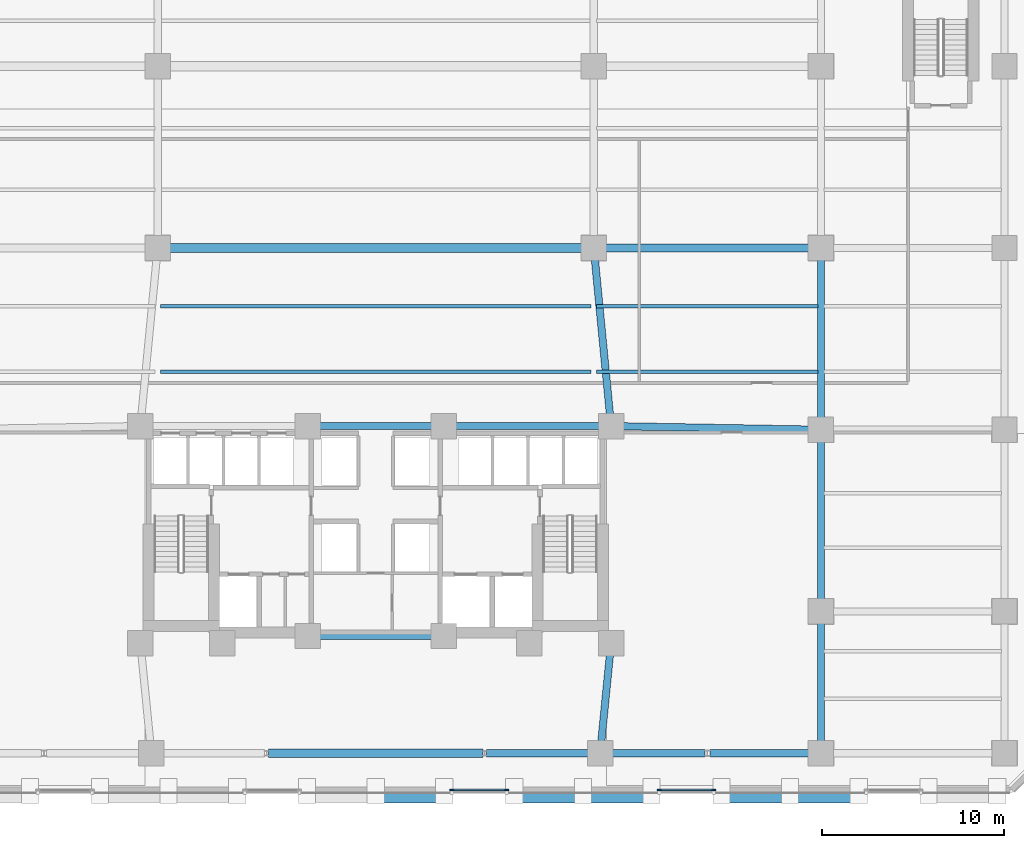
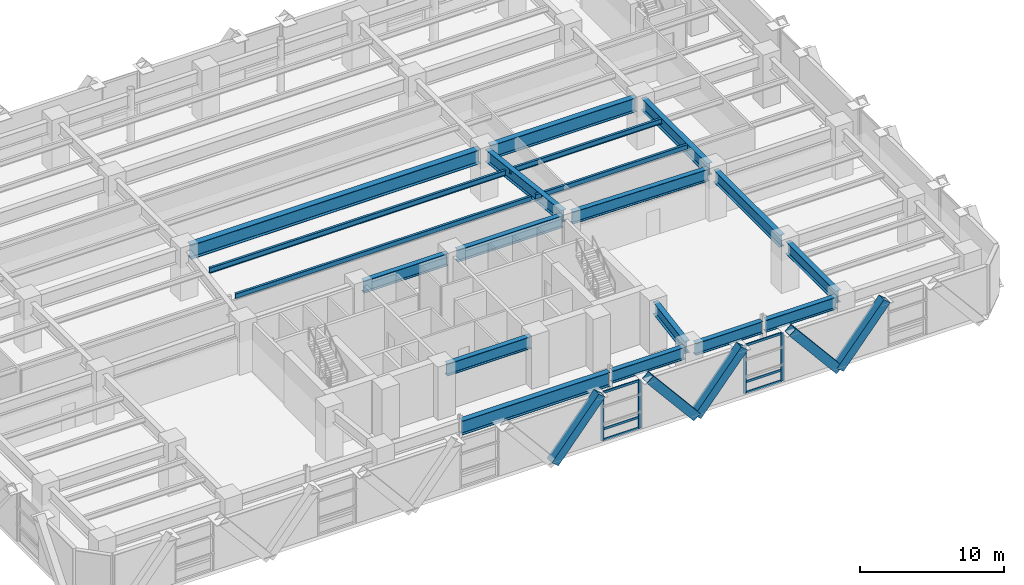
# One storey, part 7 of 26: 19 beams, 15 members, 2 elements without a shape of their own.
"""IFC4 building model written with IfcOpenShell, lengths in metres."""

from ifc_helpers import new_model, si_unit, direction, frame, origin, origin_2d, place, context, subcontext, project, spatial, rectangle, hollow_rectangle, i_section, extrude, material, material_profile, profile_set, type_object, element, aggregate, save


model = new_model("IFC4")

# Units and contexts
model_context = context("Model", 3, precision=1e-05, world=origin(), true_north=direction((0.0, 1.0)))
body_context = subcontext(model_context, "Body", "Model", "MODEL_VIEW")
ifc_project = project(units=[si_unit("LENGTHUNIT", "METRE"), si_unit("AREAUNIT", "SQUARE_METRE"), si_unit("VOLUMEUNIT", "CUBIC_METRE"), si_unit("PLANEANGLEUNIT", "RADIAN"), si_unit("MASSUNIT", "GRAM", prefix="KILO")], contexts=[model_context])

# Site, building, storey
site_placement = place(None, origin())
site = spatial("IfcSite", under=ifc_project, at=site_placement, CompositionType="ELEMENT")
building_placement = place(site_placement, origin())
building = spatial("IfcBuilding", under=site, at=building_placement, Name="Quenlor Broadcast Tower", CompositionType="ELEMENT")
storey_placement = place(building_placement, frame((0.0, 0.0, 18.5)))
storey = spatial("IfcBuildingStorey", under=building, at=storey_placement, Name="L04", CompositionType="ELEMENT", Elevation=18.5)

# Curtain wall, members
ifc_material_1 = material(Name="Architectural Terracotta and Low-E Glazing", Category="masonry")
curtain_wall_type = type_object("IfcCurtainWallType", Name="Station Concourse and Crown Terracotta Curtain Wall", PredefinedType="NOTDEFINED", material=ifc_material_1)
curtain_wall_1_placement = place(storey_placement, origin())
curtain_wall_1 = element("IfcCurtainWall", 1, at=curtain_wall_1_placement, inside=storey, type_object=curtain_wall_type, Name="L04 Curtain Wall CW6 (L04-S-FULL-G2)", PredefinedType="NOTDEFINED")
ifc_material_2 = material(Name="Aluminium 6063-T6", Category="aluminium")
ifc_material_profile_1 = material_profile(ifc_material_2, rectangle(XDim=0.08203125, YDim=0.239990234375, at=origin_2d()))
ifc_profile_set_1 = profile_set([ifc_material_profile_1], Name="Aluminium 6063-T6 MULL82x240")
member_type_1 = type_object("IfcMemberType", Name="CW6 Aluminium Mullion MULL_CW6", PredefinedType="MULLION", material=ifc_profile_set_1)
member_1_placement = place(storey_placement, frame((18.593994140625, -24.820068359375, 0.0), z_axis=(0.0, 0.0, 1.0), x_axis=(0.0, -1.0, 0.0)))
member_1 = element("IfcMember", 2, at=member_1_placement, type_object=member_type_1, Name="CW6 mullion 1", PredefinedType="MULLION", context=body_context, shape_type="SweptSolid", body=[
    extrude(rectangle(XDim=0.08203125, YDim=0.239990234375, at=origin_2d()), origin(), (0.0, 0.0, 1.0), 4.080078125),
])
member_2_placement = place(storey_placement, frame((15.606201171875, -24.820068359375, 0.0), z_axis=(0.0, 0.0, 1.0), x_axis=(0.0, -1.0, 0.0)))
member_2 = element("IfcMember", 3, at=member_2_placement, type_object=member_type_1, Name="CW6 mullion 2", PredefinedType="MULLION", context=body_context, shape_type="SweptSolid", body=[
    extrude(rectangle(XDim=0.08203125, YDim=0.239990234375, at=origin_2d()), origin(), (0.0, 0.0, 1.0), 4.080078125),
])

curtain_wall_2_placement = place(storey_placement, origin())
curtain_wall_2 = element("IfcCurtainWall", 4, at=curtain_wall_2_placement, inside=storey, type_object=curtain_wall_type, Name="L04 Curtain Wall CW6 (L04-S-FULL-G3)", PredefinedType="NOTDEFINED")
member_3_placement = place(storey_placement, frame((7.19384765625, -24.820068359375, 0.0), z_axis=(0.0, 0.0, 1.0), x_axis=(0.0, -1.0, 0.0)))
member_3 = element("IfcMember", 5, at=member_3_placement, type_object=member_type_1, Name="CW6 mullion 1", PredefinedType="MULLION", context=body_context, shape_type="SweptSolid", body=[
    extrude(rectangle(XDim=0.08203125, YDim=0.239990234375, at=origin_2d()), origin(), (0.0, 0.0, 1.0), 4.080078125),
])
member_4_placement = place(storey_placement, frame((4.2060546875, -24.820068359375, 0.0), z_axis=(0.0, 0.0, 1.0), x_axis=(0.0, -1.0, 0.0)))
member_4 = element("IfcMember", 6, at=member_4_placement, type_object=member_type_1, Name="CW6 mullion 2", PredefinedType="MULLION", context=body_context, shape_type="SweptSolid", body=[
    extrude(rectangle(XDim=0.08203125, YDim=0.239990234375, at=origin_2d()), origin(), (0.0, 0.0, 1.0), 4.080078125),
])

# Member
ifc_material_3 = material(Name="Aluminium 6063-T6", Category="aluminium")
ifc_material_profile_2 = material_profile(ifc_material_3, rectangle(XDim=0.08203125, YDim=0.195068359375, at=origin_2d()))
ifc_profile_set_2 = profile_set([ifc_material_profile_2], Name="Aluminium 6063-T6 TRAN82x195")
member_type_2 = type_object("IfcMemberType", Name="CW6 Aluminium Transom TRAN_CW6", PredefinedType="USERDEFINED", material=ifc_profile_set_2)
member_5_placement = place(storey_placement, frame((18.552978515625, -24.820068359375, 0.041015625), z_axis=(-1.0, 0.0, 0.0), x_axis=(0.0, -1.0, 0.0)))
member_5 = element("IfcMember", 7, at=member_5_placement, type_object=member_type_2, Name="CW6 transom 1.1", ObjectType="TRANSOM", PredefinedType="USERDEFINED", context=body_context, shape_type="SweptSolid", body=[
    extrude(rectangle(XDim=0.08203125, YDim=0.195068359375, at=origin_2d()), origin(), (0.0, 0.0, 1.0), 2.90576171875),
])

member_6_placement = place(storey_placement, frame((18.552978515625, -24.820068359375, 0.949951171875), z_axis=(-1.0, 0.0, 0.0), x_axis=(0.0, -1.0, 0.0)))
member_6 = element("IfcMember", 8, at=member_6_placement, type_object=member_type_2, Name="CW6 transom 1.2", ObjectType="TRANSOM", PredefinedType="USERDEFINED", context=body_context, shape_type="SweptSolid", body=[
    extrude(rectangle(XDim=0.08203125, YDim=0.195068359375, at=origin_2d()), origin(), (0.0, 0.0, 1.0), 2.90576171875),
])

member_7_placement = place(storey_placement, frame((18.552978515625, -24.820068359375, 4.0390625), z_axis=(-1.0, 0.0, 0.0), x_axis=(0.0, -1.0, 0.0)))
member_7 = element("IfcMember", 9, at=member_7_placement, type_object=member_type_2, Name="CW6 transom 1.3", ObjectType="TRANSOM", PredefinedType="USERDEFINED", context=body_context, shape_type="SweptSolid", body=[
    extrude(rectangle(XDim=0.08203125, YDim=0.195068359375, at=origin_2d()), origin(), (0.0, 0.0, 1.0), 2.90576171875),
])

aggregate(curtain_wall_1, [member_1, member_2, member_5, member_6, member_7])

member_8_placement = place(storey_placement, frame((7.15283203125, -24.820068359375, 0.041015625), z_axis=(-1.0, 0.0, 0.0), x_axis=(0.0, -1.0, 0.0)))
member_8 = element("IfcMember", 10, at=member_8_placement, type_object=member_type_2, Name="CW6 transom 1.1", ObjectType="TRANSOM", PredefinedType="USERDEFINED", context=body_context, shape_type="SweptSolid", body=[
    extrude(rectangle(XDim=0.08203125, YDim=0.195068359375, at=origin_2d()), origin(), (0.0, 0.0, 1.0), 2.90576171875),
])

member_9_placement = place(storey_placement, frame((7.15283203125, -24.820068359375, 0.949951171875), z_axis=(-1.0, 0.0, 0.0), x_axis=(0.0, -1.0, 0.0)))
member_9 = element("IfcMember", 11, at=member_9_placement, type_object=member_type_2, Name="CW6 transom 1.2", ObjectType="TRANSOM", PredefinedType="USERDEFINED", context=body_context, shape_type="SweptSolid", body=[
    extrude(rectangle(XDim=0.08203125, YDim=0.195068359375, at=origin_2d()), origin(), (0.0, 0.0, 1.0), 2.90576171875),
])

member_10_placement = place(storey_placement, frame((7.15283203125, -24.820068359375, 4.0390625), z_axis=(-1.0, 0.0, 0.0), x_axis=(0.0, -1.0, 0.0)))
member_10 = element("IfcMember", 12, at=member_10_placement, type_object=member_type_2, Name="CW6 transom 1.3", ObjectType="TRANSOM", PredefinedType="USERDEFINED", context=body_context, shape_type="SweptSolid", body=[
    extrude(rectangle(XDim=0.08203125, YDim=0.195068359375, at=origin_2d()), origin(), (0.0, 0.0, 1.0), 2.90576171875),
])

aggregate(curtain_wall_2, [member_3, member_4, member_8, member_9, member_10])

# Members
ifc_material_4 = material(Name="Steel S355", Category="steel")
ifc_material_profile_3 = material_profile(ifc_material_4, hollow_rectangle(XDim=0.679931640625, YDim=0.679931640625, WallThickness=0.034912109375, at=origin_2d()))
ifc_profile_set_3 = profile_set([ifc_material_profile_3], Name="Steel S355 RHS680x680x35")
member_type_3 = type_object("IfcMemberType", Name="Perimeter Diagonal Lattice Brace Z1 Steel S355 RHS680x35", PredefinedType="BRACE", material=ifc_profile_set_3)
for number, where, z_axis, x_axis, name in (
    (13, (22.82275390625, -25.215087890625, -0.1201171875), (0.640626831312, 0.0, 0.767852370578), (0.0, 1.0, 0.0), "L04 Podium Diamond Lattice S-P1B"),
    (14, (22.777099609375, -25.215087890625, -0.1201171875), (-0.640626831312, 0.0, 0.767852370578), (0.0, -1.0, 0.0), "L04 Podium Diamond Lattice S-P2S"),
    (15, (11.4228515625, -25.215087890625, -0.1201171875), (0.640626831312, 0.0, 0.767852370578), (0.0, 1.0, 0.0), "L04 Podium Diamond Lattice S-P2B"),
    (16, (11.377197265625, -25.215087890625, -0.1201171875), (-0.640626831312, 0.0, 0.767852370578), (0.0, -1.0, 0.0), "L04 Podium Diamond Lattice S-P3S"),
    (17, (0.022705078125, -25.215087890625, -0.1201171875), (0.640626831312, 0.0, 0.767852370578), (0.0, 1.0, 0.0), "L04 Podium Diamond Lattice S-P3B"),
):
    element("IfcMember", number, at=place(storey_placement, frame(where, z_axis=z_axis, x_axis=x_axis)), inside=storey, type_object=member_type_3, Name=name, PredefinedType="BRACE", context=body_context, shape_type="SweptSolid", body=[
        extrude(hollow_rectangle(XDim=0.679931640625, YDim=0.679931640625, WallThickness=0.034912109375, at=origin_2d()), origin(), (0.0, 0.0, 1.0), 5.860595703125),
    ])

# Beams
ifc_material_5 = material(Name="Steel S355", Category="steel")
ifc_material_profile_4 = material_profile(ifc_material_5, i_section(OverallWidth=0.39990234375, OverallDepth=1.02392578125, WebThickness=0.01611328125, FlangeThickness=0.031982421875, FilletRadius=0.01611328125, at=origin_2d()))
ifc_profile_set_4 = profile_set([ifc_material_profile_4], Name="Steel S355 1000WB322")
beam_type_1 = type_object("IfcBeamType", Name="Podium Concourse Girder Steel S355 1000WB322", PredefinedType="BEAM", material=ifc_profile_set_4)
beam_1_placement = place(storey_placement, frame((6.10791015625, -22.800048828125, 3.568115234375), z_axis=(1.0, 0.0, 0.0), x_axis=(0.0, 1.0, 0.0)))
element("IfcBeam", 18, at=beam_1_placement, inside=storey, type_object=beam_type_1, Name="L04 Podium Girder 6", PredefinedType="BEAM", context=body_context, shape_type="SweptSolid", body=[
    extrude(i_section(OverallWidth=0.39990234375, OverallDepth=1.02392578125, WebThickness=0.01611328125, FlangeThickness=0.031982421875, FilletRadius=0.01611328125, at=origin_2d()), origin(), (0.0, 0.0, 1.0), 5.822021484375),
])
beam_2_placement = place(storey_placement, frame((12.77001953125, -22.800048828125, 3.568115234375), z_axis=(1.0, 0.0, 0.0), x_axis=(0.0, 1.0, 0.0)))
element("IfcBeam", 19, at=beam_2_placement, inside=storey, type_object=beam_type_1, Name="L04 Podium Girder 7", PredefinedType="BEAM", context=body_context, shape_type="SweptSolid", body=[
    extrude(i_section(OverallWidth=0.39990234375, OverallDepth=1.02392578125, WebThickness=0.01611328125, FlangeThickness=0.031982421875, FilletRadius=0.01611328125, at=origin_2d()), origin(), (0.0, 0.0, 1.0), 5.345458984375),
])
beam_3_placement = place(storey_placement, frame((18.384521484375, -22.800048828125, 3.568115234375), z_axis=(1.0, 0.0, 0.0), x_axis=(0.0, 1.0, 0.0)))
element("IfcBeam", 20, at=beam_3_placement, inside=storey, type_object=beam_type_1, Name="L04 Podium Girder 8", PredefinedType="BEAM", context=body_context, shape_type="SweptSolid", body=[
    extrude(i_section(OverallWidth=0.39990234375, OverallDepth=1.02392578125, WebThickness=0.01611328125, FlangeThickness=0.031982421875, FilletRadius=0.01611328125, at=origin_2d()), origin(), (0.0, 0.0, 1.0), 5.695556640625),
])
beam_4_placement = place(storey_placement, frame((24.5, -22.3798828125, 3.568115234375), z_axis=(0.0, 1.0, 0.0), x_axis=(-1.0, 0.0, 0.0)))
element("IfcBeam", 21, at=beam_4_placement, inside=storey, type_object=beam_type_1, Name="L04 Podium Girder 44", PredefinedType="BEAM", context=body_context, shape_type="SweptSolid", body=[
    extrude(i_section(OverallWidth=0.39990234375, OverallDepth=1.02392578125, WebThickness=0.01611328125, FlangeThickness=0.031982421875, FilletRadius=0.01611328125, at=origin_2d()), origin(), (0.0, 0.0, 1.0), 6.9599609375),
])
for number, where, z_axis, x_axis, name in (
    (22, (24.5, -14.580078125, 3.568115234375), (0.0, 1.0, 0.0), (-1.0, 0.0, 0.0), "L04 Podium Girder 45"),
    (23, (24.5, -4.580078125, 3.568115234375), (0.0, 1.0, 0.0), (-1.0, 0.0, 0.0), "L04 Podium Girder 46"),
):
    element("IfcBeam", number, at=place(storey_placement, frame(where, z_axis=z_axis, x_axis=x_axis)), inside=storey, type_object=beam_type_1, Name=name, PredefinedType="BEAM", context=body_context, shape_type="SweptSolid", body=[
        extrude(i_section(OverallWidth=0.39990234375, OverallDepth=1.02392578125, WebThickness=0.01611328125, FlangeThickness=0.031982421875, FilletRadius=0.01611328125, at=origin_2d()), origin(), (0.0, 0.0, 1.0), 9.16015625),
    ])
beam_5_placement = place(storey_placement, frame((12.913330078125, -4.421875, 3.568115234375), z_axis=(-0.096489068192, 0.995334044288, 0.0), x_axis=(-0.995334044288, -0.096489068192, 0.0)))
element("IfcBeam", 24, at=beam_5_placement, inside=storey, type_object=beam_type_1, Name="L04 Podium Concourse Girder 2", PredefinedType="BEAM", context=body_context, shape_type="SweptSolid", body=[
    extrude(i_section(OverallWidth=0.39990234375, OverallDepth=1.02392578125, WebThickness=0.01611328125, FlangeThickness=0.031982421875, FilletRadius=0.01611328125, at=origin_2d()), origin(), (0.0, 0.0, 1.0), 9.086181640625),
])
beam_6_placement = place(storey_placement, frame((12.91259765625, -17.128173828125, 3.568115234375), z_axis=(-0.098717586069, -0.995115489881, 0.0), x_axis=(0.995115489881, -0.098717586069, 0.0)))
element("IfcBeam", 25, at=beam_6_placement, inside=storey, type_object=beam_type_1, Name="L04 Podium Concourse Girder 4", PredefinedType="BEAM", context=body_context, shape_type="SweptSolid", body=[
    extrude(i_section(OverallWidth=0.39990234375, OverallDepth=1.02392578125, WebThickness=0.01611328125, FlangeThickness=0.031982421875, FilletRadius=0.01611328125, at=origin_2d()), origin(), (0.0, 0.0, 1.0), 5.319580078125),
])
beam_7_placement = place(storey_placement, frame((13.329833984375, -4.806640625, 3.568115234375), z_axis=(0.999850235211, -0.017306274859, 0.0), x_axis=(0.017306274859, 0.999850235211, 0.0)))
element("IfcBeam", 26, at=beam_7_placement, inside=storey, type_object=beam_type_1, Name="L04 Podium Concourse Girder 6", PredefinedType="BEAM", context=body_context, shape_type="SweptSolid", body=[
    extrude(i_section(OverallWidth=0.39990234375, OverallDepth=1.02392578125, WebThickness=0.01611328125, FlangeThickness=0.031982421875, FilletRadius=0.01611328125, at=origin_2d()), origin(), (0.0, 0.0, 1.0), 10.7919921875),
])
for number, where, z_axis, x_axis, name in (
    (27, (-3.3701171875, -4.800048828125, 3.568115234375), (1.0, 0.0, 0.0), (0.0, 1.0, 0.0), "L04 Podium Concourse Girder 7"),
    (28, (-3.3701171875, -16.35009765625, 3.568115234375), (1.0, 0.0, 0.0), (0.0, 1.0, 0.0), "L04 Podium Concourse Girder 8"),
):
    element("IfcBeam", number, at=place(storey_placement, frame(where, z_axis=z_axis, x_axis=x_axis)), inside=storey, type_object=beam_type_1, Name=name, PredefinedType="BEAM", context=body_context, shape_type="SweptSolid", body=[
        extrude(i_section(OverallWidth=0.39990234375, OverallDepth=1.02392578125, WebThickness=0.01611328125, FlangeThickness=0.031982421875, FilletRadius=0.01611328125, at=origin_2d()), origin(), (0.0, 0.0, 1.0), 6.740234375),
    ])
beam_8_placement = place(storey_placement, frame((4.1298828125, -4.800048828125, 3.568115234375), z_axis=(1.0, 0.0, 0.0), x_axis=(0.0, 1.0, 0.0)))
element("IfcBeam", 29, at=beam_8_placement, inside=storey, type_object=beam_type_1, Name="L04 Podium Concourse Girder 10", PredefinedType="BEAM", context=body_context, shape_type="SweptSolid", body=[
    extrude(i_section(OverallWidth=0.39990234375, OverallDepth=1.02392578125, WebThickness=0.01611328125, FlangeThickness=0.031982421875, FilletRadius=0.01611328125, at=origin_2d()), origin(), (0.0, 0.0, 1.0), 8.440185546875),
])
ifc_material_6 = material(Name="Steel S355", Category="steel")
ifc_material_profile_5 = material_profile(ifc_material_6, i_section(OverallWidth=0.18994140625, OverallDepth=0.453857421875, WebThickness=0.008544921875, FlangeThickness=0.0126953125, FilletRadius=0.011474609375, at=origin_2d()))
ifc_profile_set_5 = profile_set([ifc_material_profile_5], Name="Steel S355 460UB67.1")
beam_type_2 = type_object("IfcBeamType", Name="Podium Floor Joist Steel S355 460UB67.1", PredefinedType="JOIST", material=ifc_profile_set_5)
beam_9_placement = place(storey_placement, frame((-11.840087890625, -1.800048828125, 3.85302734375), z_axis=(1.0, 0.0, 0.0), x_axis=(0.0, 1.0, 0.0)))
element("IfcBeam", 30, at=beam_9_placement, inside=storey, type_object=beam_type_2, Name="L04 Podium Floor Joist 34", PredefinedType="JOIST", context=body_context, shape_type="SweptSolid", body=[
    extrude(i_section(OverallWidth=0.18994140625, OverallDepth=0.453857421875, WebThickness=0.008544921875, FlangeThickness=0.0126953125, FilletRadius=0.011474609375, at=origin_2d()), origin(), (0.0, 0.0, 1.0), 23.68017578125),
])
beam_10_placement = place(storey_placement, frame((12.159912109375, -1.800048828125, 3.85302734375), z_axis=(1.0, 0.0, 0.0), x_axis=(0.0, 1.0, 0.0)))
element("IfcBeam", 31, at=beam_10_placement, inside=storey, type_object=beam_type_2, Name="L04 Podium Floor Joist 35", PredefinedType="JOIST", context=body_context, shape_type="SweptSolid", body=[
    extrude(i_section(OverallWidth=0.18994140625, OverallDepth=0.453857421875, WebThickness=0.008544921875, FlangeThickness=0.0126953125, FilletRadius=0.011474609375, at=origin_2d()), origin(), (0.0, 0.0, 1.0), 12.18017578125),
])
beam_11_placement = place(storey_placement, frame((-11.840087890625, 1.800048828125, 3.85302734375), z_axis=(1.0, 0.0, 0.0), x_axis=(0.0, 1.0, 0.0)))
element("IfcBeam", 32, at=beam_11_placement, inside=storey, type_object=beam_type_2, Name="L04 Podium Floor Joist 37", PredefinedType="JOIST", context=body_context, shape_type="SweptSolid", body=[
    extrude(i_section(OverallWidth=0.18994140625, OverallDepth=0.453857421875, WebThickness=0.008544921875, FlangeThickness=0.0126953125, FilletRadius=0.011474609375, at=origin_2d()), origin(), (0.0, 0.0, 1.0), 23.68017578125),
])
beam_12_placement = place(storey_placement, frame((12.159912109375, 1.800048828125, 3.85302734375), z_axis=(1.0, 0.0, 0.0), x_axis=(0.0, 1.0, 0.0)))
element("IfcBeam", 33, at=beam_12_placement, inside=storey, type_object=beam_type_2, Name="L04 Podium Floor Joist 38", PredefinedType="JOIST", context=body_context, shape_type="SweptSolid", body=[
    extrude(i_section(OverallWidth=0.18994140625, OverallDepth=0.453857421875, WebThickness=0.008544921875, FlangeThickness=0.0126953125, FilletRadius=0.011474609375, at=origin_2d()), origin(), (0.0, 0.0, 1.0), 12.18017578125),
])
ifc_material_7 = material(Name="Steel S355", Category="steel")
ifc_material_profile_6 = material_profile(ifc_material_7, i_section(OverallWidth=0.5, OverallDepth=1.199951171875, WebThickness=0.02001953125, FlangeThickness=0.035888671875, FilletRadius=0.01611328125, at=origin_2d()))
ifc_profile_set_6 = profile_set([ifc_material_profile_6], Name="Steel S355 1200WB455")
beam_type_3 = type_object("IfcBeamType", Name="Podium Long Span Studio Girder Steel S355 1200WB455", PredefinedType="BEAM", material=ifc_profile_set_6)
beam_13_placement = place(storey_placement, frame((-11.580078125, 5.0, 3.47998046875), z_axis=(1.0, 0.0, 0.0), x_axis=(0.0, 1.0, 0.0)))
element("IfcBeam", 34, at=beam_13_placement, inside=storey, type_object=beam_type_3, Name="L04 Podium Girder 16", PredefinedType="BEAM", context=body_context, shape_type="SweptSolid", body=[
    extrude(i_section(OverallWidth=0.5, OverallDepth=1.199951171875, WebThickness=0.02001953125, FlangeThickness=0.035888671875, FilletRadius=0.01611328125, at=origin_2d()), origin(), (0.0, 0.0, 1.0), 23.16015625),
])
ifc_material_8 = material(Name="Steel S355", Category="steel")
ifc_material_profile_7 = material_profile(ifc_material_8, i_section(OverallWidth=0.449951171875, OverallDepth=1.18798828125, WebThickness=0.01806640625, FlangeThickness=0.031982421875, FilletRadius=0.01611328125, at=origin_2d()))
ifc_profile_set_7 = profile_set([ifc_material_profile_7], Name="Steel S355 1200WB392")
beam_type_4 = type_object("IfcBeamType", Name="Podium Secondary Studio Girder Steel S355 1200WB392", PredefinedType="BEAM", material=ifc_profile_set_7)
beam_14_placement = place(storey_placement, frame((-5.89208984375, -22.800048828125, 3.486083984375), z_axis=(1.0, 0.0, 0.0), x_axis=(0.0, 1.0, 0.0)))
element("IfcBeam", 35, at=beam_14_placement, inside=storey, type_object=beam_type_4, Name="L04 Podium Girder 5", PredefinedType="BEAM", context=body_context, shape_type="SweptSolid", body=[
    extrude(i_section(OverallWidth=0.449951171875, OverallDepth=1.18798828125, WebThickness=0.01806640625, FlangeThickness=0.031982421875, FilletRadius=0.01611328125, at=origin_2d()), origin(), (0.0, 0.0, 1.0), 11.7841796875),
])
beam_15_placement = place(storey_placement, frame((12.419921875, 5.0, 3.486083984375), z_axis=(1.0, 0.0, 0.0), x_axis=(0.0, 1.0, 0.0)))
element("IfcBeam", 36, at=beam_15_placement, inside=storey, type_object=beam_type_4, Name="L04 Podium Girder 17", PredefinedType="BEAM", context=body_context, shape_type="SweptSolid", body=[
    extrude(i_section(OverallWidth=0.449951171875, OverallDepth=1.18798828125, WebThickness=0.01806640625, FlangeThickness=0.031982421875, FilletRadius=0.01611328125, at=origin_2d()), origin(), (0.0, 0.0, 1.0), 11.66015625),
])

save(model, "model.ifc")
